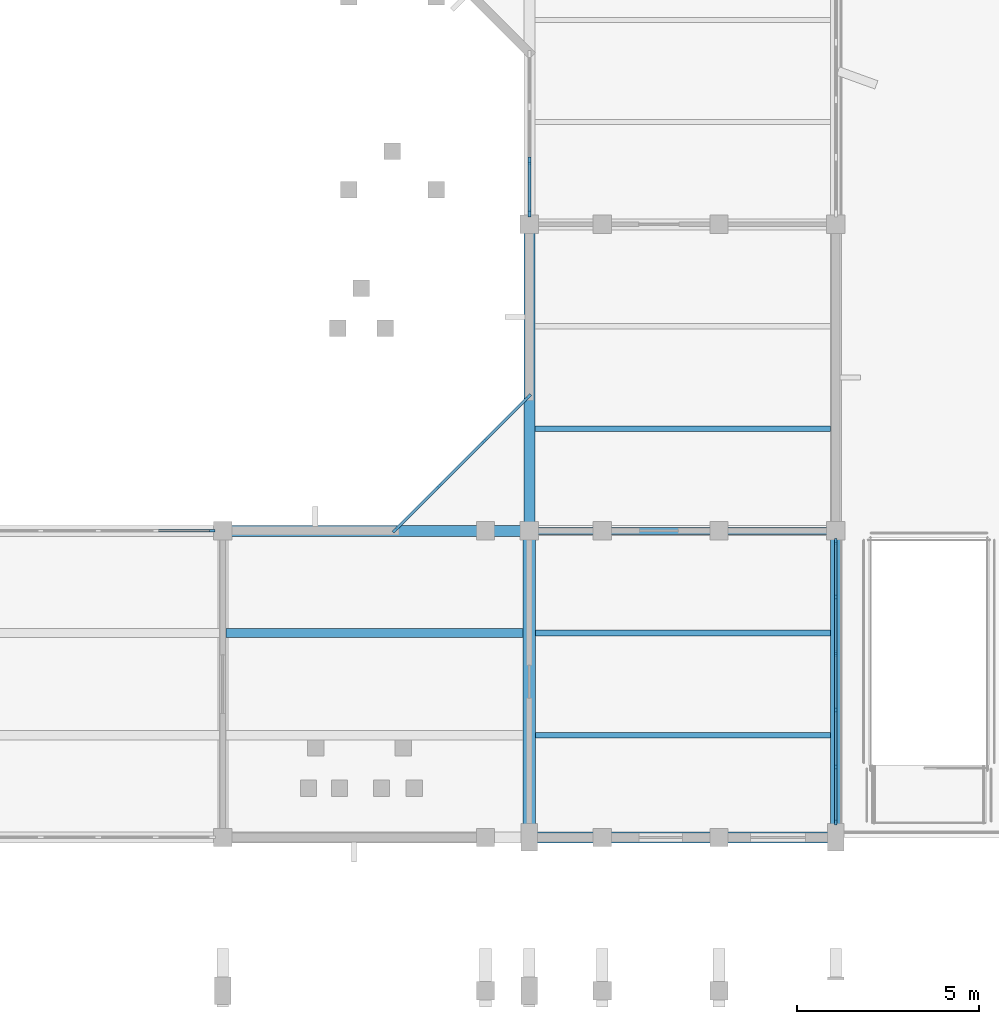
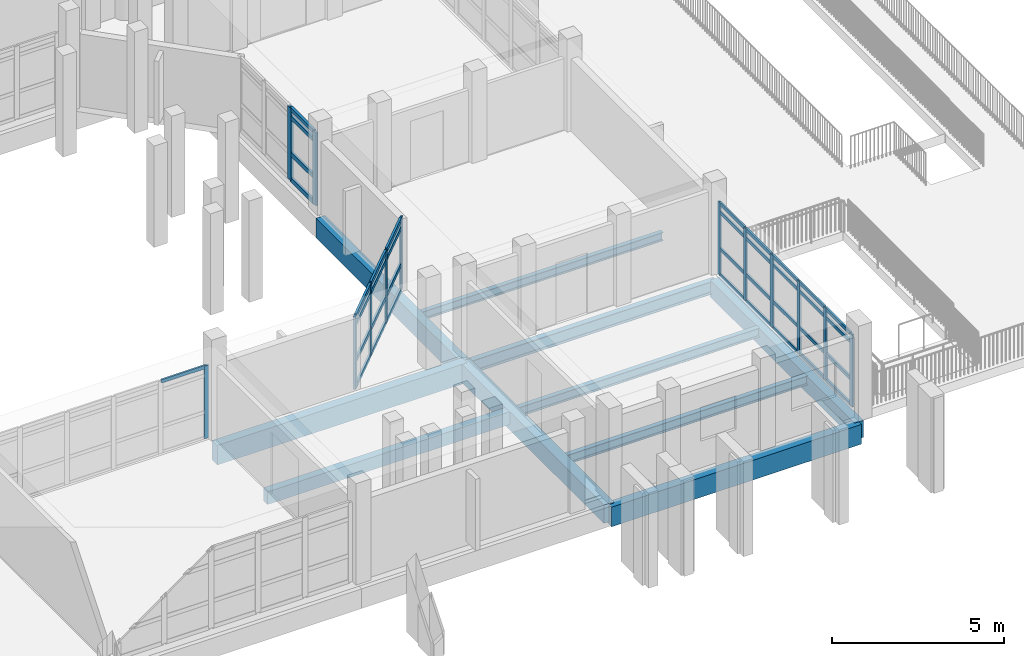
# One storey, part 19 of 104: 50 members, 10 beams, 4 elements without a shape of their own.
"""IFC4 building model written with IfcOpenShell, lengths in metres."""

from ifc_helpers import new_model, si_unit, direction, frame, origin, origin_2d, place, context, subcontext, project, spatial, rectangle, i_section, extrude, material, material_profile, profile_set, type_object, element, aggregate, save


model = new_model("IFC4")

# Units and contexts
model_context = context("Model", 3, precision=1e-05, world=origin(), true_north=direction((0.0, 1.0)))
body_context = subcontext(model_context, "Body", "Model", "MODEL_VIEW")
ifc_project = project(units=[si_unit("LENGTHUNIT", "METRE"), si_unit("AREAUNIT", "SQUARE_METRE"), si_unit("VOLUMEUNIT", "CUBIC_METRE"), si_unit("PLANEANGLEUNIT", "RADIAN"), si_unit("MASSUNIT", "GRAM", prefix="KILO")], contexts=[model_context])

# Site, building, storey
site_placement = place(None, origin())
site = spatial("IfcSite", under=ifc_project, at=site_placement, CompositionType="ELEMENT")
building_placement = place(site_placement, origin())
building = spatial("IfcBuilding", under=site, at=building_placement, Name="Vanh Quang Courtyard School", CompositionType="ELEMENT")
storey_placement = place(building_placement, frame((0.0, 0.0, 4.199951171875)))
storey = spatial("IfcBuildingStorey", under=building, at=storey_placement, Name="L01", CompositionType="ELEMENT", Elevation=4.199951171875)

# Beams
ifc_material_1 = material(Name="Concrete C35/45", Category="concrete")
ifc_material_profile_1 = material_profile(ifc_material_1, rectangle(XDim=0.300048828125, YDim=0.60009765625, at=origin_2d()), Name="RC-BM 300x600")
ifc_profile_set_1 = profile_set([ifc_material_profile_1], Name="Concrete C35/45")
beam_type_1 = type_object("IfcBeamType", Name="BM-RC-300x600", PredefinedType="BEAM", material=ifc_profile_set_1)
beam_1_placement = place(storey_placement, frame((119.39990234375, 4.199951171875, -0.619873046875), z_axis=(0.0, 1.0, 0.0), x_axis=(-1.0, 0.0, 0.0)))
element("IfcBeam", 1, at=beam_1_placement, inside=storey, type_object=beam_type_1, Name="Beam B-06 (L01)", PredefinedType="BEAM", context=body_context, shape_type="SweptSolid", body=[
    extrude(rectangle(XDim=0.300048828125, YDim=0.60009765625, at=origin_2d()), origin(), (0.0, 0.0, 1.0), 8.400146484375),
])
ifc_material_profile_2 = material_profile(ifc_material_1, rectangle(XDim=0.35009765625, YDim=0.64990234375, at=origin_2d()), Name="RC-BM 350x650")
ifc_profile_set_2 = profile_set([ifc_material_profile_2], Name="Concrete C35/45")
beam_type_2 = type_object("IfcBeamType", Name="BM-RC-350x650", PredefinedType="BEAM", material=ifc_profile_set_2)
beam_2_placement = place(storey_placement, frame((111.0, 4.199951171875, -0.60498046875), z_axis=(0.0, 1.0, 0.0), x_axis=(-1.0, 0.0, 0.0)))
element("IfcBeam", 2, at=beam_2_placement, inside=storey, type_object=beam_type_2, Name="Beam B-05 (L01)", PredefinedType="BEAM", context=body_context, shape_type="SweptSolid", body=[
    extrude(rectangle(XDim=0.35009765625, YDim=0.64990234375, at=origin_2d()), origin(), (0.0, 0.0, 1.0), 8.400146484375),
])
ifc_material_profile_3 = material_profile(ifc_material_1, rectangle(XDim=0.300048828125, YDim=0.699951171875, at=origin_2d()), Name="RC-SP 300x700")
ifc_profile_set_3 = profile_set([ifc_material_profile_3], Name="Concrete C35/45")
beam_type_3 = type_object("IfcBeamType", Name="BM-SP-300x700", PredefinedType="SPANDREL", material=ifc_profile_set_3)
for number, where, z_axis, x_axis, name in (
    (3, (111.0, 4.199951171875, -0.669921875), (1.0, 0.0, 0.0), (0.0, 1.0, 0.0), "Beam BS-01 (L01)"),
    (4, (102.60009765625, 12.60009765625, -0.6298828125), (1.0, 0.0, 0.0), (0.0, 1.0, 0.0), "Beam BS-01 (L01)"),
    (5, (111.0, 12.60009765625, -0.6298828125), (0.0, 1.0, 0.0), (-1.0, 0.0, 0.0), "Beam BS-01 (L01)"),
):
    element("IfcBeam", number, at=place(storey_placement, frame(where, z_axis=z_axis, x_axis=x_axis)), inside=storey, type_object=beam_type_3, Name=name, PredefinedType="SPANDREL", context=body_context, shape_type="SweptSolid", body=[
        extrude(rectangle(XDim=0.300048828125, YDim=0.699951171875, at=origin_2d()), origin(), (0.0, 0.0, 1.0), 8.39990234375),
    ])
ifc_material_2 = material(Name="Structural steel EN 10025-2 S355J2", Category="steel")
ifc_material_profile_4 = material_profile(ifc_material_2, i_section(OverallWidth=0.18994140625, OverallDepth=0.449951171875, WebThickness=0.009521484375, FlangeThickness=0.0146484375, FilletRadius=0.02099609375, at=origin_2d()), Name="IPE 450")
ifc_profile_set_4 = profile_set([ifc_material_profile_4], Name="Structural steel EN 10025-2 S355J2")
beam_type_4 = type_object("IfcBeamType", Name="BM-STL-IPE450", PredefinedType="BEAM", material=ifc_profile_set_4)
beam_3_placement = place(storey_placement, frame((111.0, 12.60009765625, -0.544921875), z_axis=(1.0, 0.0, 0.0), x_axis=(0.0, 1.0, 0.0)))
element("IfcBeam", 6, at=beam_3_placement, inside=storey, type_object=beam_type_4, Name="Beam SB-04 (L01)", PredefinedType="BEAM", context=body_context, shape_type="SweptSolid", body=[
    extrude(i_section(OverallWidth=0.18994140625, OverallDepth=0.449951171875, WebThickness=0.009521484375, FlangeThickness=0.0146484375, FilletRadius=0.02099609375, at=origin_2d()), origin(), (0.0, 0.0, 1.0), 8.39990234375),
])

# Curtain wall, members
ifc_material_3 = material(Name="Thermally broken aluminium unitised curtain wall", Category="aluminium")
curtain_wall_type_1 = type_object("IfcCurtainWallType", Name="CW-SYS-24", PredefinedType="NOTDEFINED", material=ifc_material_3)
curtain_wall_1_placement = place(storey_placement, origin())
curtain_wall_1 = element("IfcCurtainWall", 7, at=curtain_wall_1_placement, inside=storey, type_object=curtain_wall_type_1, Name="Curtain Wall CW-24 (L01)", PredefinedType="NOTDEFINED")
ifc_material_4 = material(Name="Anodised aluminium 6063-T6", Category="aluminium")
ifc_material_profile_5 = material_profile(ifc_material_4, rectangle(XDim=0.06005859375, YDim=0.159912109375, at=origin_2d()), Name="ALU-MUL 60x160")
ifc_profile_set_5 = profile_set([ifc_material_profile_5], Name="Anodised aluminium 6063-T6")
member_type_1 = type_object("IfcMemberType", Name="CW-MUL-60x160", PredefinedType="MULLION", material=ifc_profile_set_5)
member_1_placement = place(storey_placement, frame((119.39990234375, 12.31201171875, 0.0), z_axis=(0.0, 0.0, 1.0), x_axis=(1.0, 0.0, 0.0)))
member_1 = element("IfcMember", 8, at=member_1_placement, type_object=member_type_1, Name="CW-24 mullion 1", PredefinedType="MULLION", context=body_context, shape_type="SweptSolid", body=[
    extrude(rectangle(XDim=0.06005859375, YDim=0.159912109375, at=origin_2d()), origin(), (0.0, 0.0, 1.0), 2.580078125),
])
member_2_placement = place(storey_placement, frame((119.39990234375, 10.790283203125, 0.0), z_axis=(0.0, 0.0, 1.0), x_axis=(1.0, 0.0, 0.0)))
member_2 = element("IfcMember", 9, at=member_2_placement, type_object=member_type_1, Name="CW-24 mullion 2", PredefinedType="MULLION", context=body_context, shape_type="SweptSolid", body=[
    extrude(rectangle(XDim=0.06005859375, YDim=0.159912109375, at=origin_2d()), origin(), (0.0, 0.0, 1.0), 2.580078125),
])
member_3_placement = place(storey_placement, frame((119.39990234375, 9.23828125, 0.0), z_axis=(0.0, 0.0, 1.0), x_axis=(1.0, 0.0, 0.0)))
member_3 = element("IfcMember", 10, at=member_3_placement, type_object=member_type_1, Name="CW-24 mullion 3", PredefinedType="MULLION", context=body_context, shape_type="SweptSolid", body=[
    extrude(rectangle(XDim=0.06005859375, YDim=0.159912109375, at=origin_2d()), origin(), (0.0, 0.0, 1.0), 2.580078125),
])
member_4_placement = place(storey_placement, frame((119.39990234375, 7.6865234375, 0.0), z_axis=(0.0, 0.0, 1.0), x_axis=(1.0, 0.0, 0.0)))
member_4 = element("IfcMember", 11, at=member_4_placement, type_object=member_type_1, Name="CW-24 mullion 4", PredefinedType="MULLION", context=body_context, shape_type="SweptSolid", body=[
    extrude(rectangle(XDim=0.06005859375, YDim=0.159912109375, at=origin_2d()), origin(), (0.0, 0.0, 1.0), 2.580078125),
])
member_5_placement = place(storey_placement, frame((119.39990234375, 6.134765625, 0.0), z_axis=(0.0, 0.0, 1.0), x_axis=(1.0, 0.0, 0.0)))
member_5 = element("IfcMember", 12, at=member_5_placement, type_object=member_type_1, Name="CW-24 mullion 5", PredefinedType="MULLION", context=body_context, shape_type="SweptSolid", body=[
    extrude(rectangle(XDim=0.06005859375, YDim=0.159912109375, at=origin_2d()), origin(), (0.0, 0.0, 1.0), 2.580078125),
])
member_6_placement = place(storey_placement, frame((119.39990234375, 4.613037109375, 0.0), z_axis=(0.0, 0.0, 1.0), x_axis=(1.0, 0.0, 0.0)))
member_6 = element("IfcMember", 13, at=member_6_placement, type_object=member_type_1, Name="CW-24 mullion 6", PredefinedType="MULLION", context=body_context, shape_type="SweptSolid", body=[
    extrude(rectangle(XDim=0.06005859375, YDim=0.159912109375, at=origin_2d()), origin(), (0.0, 0.0, 1.0), 2.580078125),
])

# Curtain wall, member
curtain_wall_type_2 = type_object("IfcCurtainWallType", Name="CW-SYS-19", PredefinedType="NOTDEFINED", material=ifc_material_3)
curtain_wall_2_placement = place(storey_placement, origin())
curtain_wall_2 = element("IfcCurtainWall", 14, at=curtain_wall_2_placement, inside=storey, type_object=curtain_wall_type_2, Name="Curtain Wall CW-19 (L01)", PredefinedType="NOTDEFINED")
member_7_placement = place(storey_placement, frame((102.31201171875, 12.60009765625, 0.0), z_axis=(0.0, 0.0, 1.0), x_axis=(0.0, 1.0, 0.0)))
member_7 = element("IfcMember", 15, at=member_7_placement, type_object=member_type_1, Name="CW-19 mullion 6", PredefinedType="MULLION", context=body_context, shape_type="SweptSolid", body=[
    extrude(rectangle(XDim=0.06005859375, YDim=0.159912109375, at=origin_2d()), origin(), (0.0, 0.0, 1.0), 2.580078125),
])

# Curtain wall, members
curtain_wall_type_3 = type_object("IfcCurtainWallType", Name="CW-SYS-37", PredefinedType="NOTDEFINED", material=ifc_material_3)
curtain_wall_3_placement = place(storey_placement, origin())
curtain_wall_3 = element("IfcCurtainWall", 16, at=curtain_wall_3_placement, inside=storey, type_object=curtain_wall_type_3, Name="Curtain Wall CW-37 (L01)", PredefinedType="NOTDEFINED")
ifc_material_profile_6 = material_profile(ifc_material_4, rectangle(XDim=0.070068359375, YDim=0.179931640625, at=origin_2d()), Name="ALU-MUL 70x180")
ifc_profile_set_6 = profile_set([ifc_material_profile_6], Name="Anodised aluminium 6063-T6")
member_type_2 = type_object("IfcMemberType", Name="CW-MUL-70x180", PredefinedType="MULLION", material=ifc_profile_set_6)
member_8_placement = place(storey_placement, frame((107.328857421875, 12.624755859375, 0.0), z_axis=(0.0, 0.0, 1.0), x_axis=(-0.707106781187, 0.707106781187, 0.0)))
member_8 = element("IfcMember", 17, at=member_8_placement, type_object=member_type_2, Name="CW-37 mullion 1", PredefinedType="MULLION", context=body_context, shape_type="SweptSolid", body=[
    extrude(rectangle(XDim=0.070068359375, YDim=0.179931640625, at=origin_2d()), origin(), (0.0, 0.0, 1.0), 2.580078125),
])
member_9_placement = place(storey_placement, frame((108.535888671875, 13.83203125, 0.0), z_axis=(0.0, 0.0, 1.0), x_axis=(-0.707106781187, 0.707106781187, 0.0)))
member_9 = element("IfcMember", 18, at=member_9_placement, type_object=member_type_2, Name="CW-37 mullion 2", PredefinedType="MULLION", context=body_context, shape_type="SweptSolid", body=[
    extrude(rectangle(XDim=0.070068359375, YDim=0.179931640625, at=origin_2d()), origin(), (0.0, 0.0, 1.0), 2.580078125),
])
member_10_placement = place(storey_placement, frame((109.76806640625, 15.06396484375, 0.0), z_axis=(0.0, 0.0, 1.0), x_axis=(-0.707106781187, 0.707106781187, 0.0)))
member_10 = element("IfcMember", 19, at=member_10_placement, type_object=member_type_2, Name="CW-37 mullion 3", PredefinedType="MULLION", context=body_context, shape_type="SweptSolid", body=[
    extrude(rectangle(XDim=0.070068359375, YDim=0.179931640625, at=origin_2d()), origin(), (0.0, 0.0, 1.0), 2.580078125),
])
member_11_placement = place(storey_placement, frame((110.975341796875, 16.271240234375, 0.0), z_axis=(0.0, 0.0, 1.0), x_axis=(-0.707106781187, 0.707106781187, 0.0)))
member_11 = element("IfcMember", 20, at=member_11_placement, type_object=member_type_2, Name="CW-37 mullion 4", PredefinedType="MULLION", context=body_context, shape_type="SweptSolid", body=[
    extrude(rectangle(XDim=0.070068359375, YDim=0.179931640625, at=origin_2d()), origin(), (0.0, 0.0, 1.0), 2.580078125),
])

curtain_wall_type_4 = type_object("IfcCurtainWallType", Name="CW-SYS-38", PredefinedType="NOTDEFINED", material=ifc_material_3)
curtain_wall_4_placement = place(storey_placement, origin())
curtain_wall_4 = element("IfcCurtainWall", 21, at=curtain_wall_4_placement, inside=storey, type_object=curtain_wall_type_4, Name="Curtain Wall CW-38 (L01)", PredefinedType="NOTDEFINED")
ifc_material_profile_7 = material_profile(ifc_material_4, rectangle(XDim=0.080078125, YDim=0.199951171875, at=origin_2d()), Name="ALU-MUL 80x200")
ifc_profile_set_7 = profile_set([ifc_material_profile_7], Name="Anodised aluminium 6063-T6")
member_type_3 = type_object("IfcMemberType", Name="CW-MUL-80x200", PredefinedType="MULLION", material=ifc_profile_set_7)
member_12_placement = place(storey_placement, frame((111.0, 21.298095703125, 0.0), z_axis=(0.0, 0.0, 1.0), x_axis=(-1.0, 0.0, 0.0)))
member_12 = element("IfcMember", 22, at=member_12_placement, type_object=member_type_3, Name="CW-38 mullion 1", PredefinedType="MULLION", context=body_context, shape_type="SweptSolid", body=[
    extrude(rectangle(XDim=0.080078125, YDim=0.199951171875, at=origin_2d()), origin(), (0.0, 0.0, 1.0), 2.580078125),
])
member_13_placement = place(storey_placement, frame((111.0, 22.739990234375, 0.0), z_axis=(0.0, 0.0, 1.0), x_axis=(-1.0, 0.0, 0.0)))
member_13 = element("IfcMember", 23, at=member_13_placement, type_object=member_type_3, Name="CW-38 mullion 2", PredefinedType="MULLION", context=body_context, shape_type="SweptSolid", body=[
    extrude(rectangle(XDim=0.080078125, YDim=0.199951171875, at=origin_2d()), origin(), (0.0, 0.0, 1.0), 2.580078125),
])

# Member
ifc_material_profile_8 = material_profile(ifc_material_4, rectangle(XDim=0.06005859375, YDim=0.1201171875, at=origin_2d()), Name="ALU-TRN 60x120")
ifc_profile_set_8 = profile_set([ifc_material_profile_8], Name="Anodised aluminium 6063-T6")
member_type_4 = type_object("IfcMemberType", Name="CW-TRN-60x120", PredefinedType="USERDEFINED", material=ifc_profile_set_8)
member_14_placement = place(storey_placement, frame((119.39990234375, 12.281982421875, 0.030029296875), z_axis=(0.0, -1.0, 0.0), x_axis=(1.0, 0.0, 0.0)))
member_14 = element("IfcMember", 24, at=member_14_placement, type_object=member_type_4, Name="CW-24 transom 1.1", ObjectType="TRANSOM", PredefinedType="USERDEFINED", context=body_context, shape_type="SweptSolid", body=[
    extrude(rectangle(XDim=0.06005859375, YDim=0.1201171875, at=origin_2d()), origin(), (0.0, 0.0, 1.0), 1.461669921875),
])

member_15_placement = place(storey_placement, frame((119.39990234375, 12.281982421875, 0.949951171875), z_axis=(0.0, -1.0, 0.0), x_axis=(1.0, 0.0, 0.0)))
member_15 = element("IfcMember", 25, at=member_15_placement, type_object=member_type_4, Name="CW-24 transom 1.2", ObjectType="TRANSOM", PredefinedType="USERDEFINED", context=body_context, shape_type="SweptSolid", body=[
    extrude(rectangle(XDim=0.06005859375, YDim=0.1201171875, at=origin_2d()), origin(), (0.0, 0.0, 1.0), 1.461669921875),
])

member_16_placement = place(storey_placement, frame((119.39990234375, 12.281982421875, 2.25), z_axis=(0.0, -1.0, 0.0), x_axis=(1.0, 0.0, 0.0)))
member_16 = element("IfcMember", 26, at=member_16_placement, type_object=member_type_4, Name="CW-24 transom 1.3", ObjectType="TRANSOM", PredefinedType="USERDEFINED", context=body_context, shape_type="SweptSolid", body=[
    extrude(rectangle(XDim=0.06005859375, YDim=0.1201171875, at=origin_2d()), origin(), (0.0, 0.0, 1.0), 1.461669921875),
])

member_17_placement = place(storey_placement, frame((119.39990234375, 12.281982421875, 2.550048828125), z_axis=(0.0, -1.0, 0.0), x_axis=(1.0, 0.0, 0.0)))
member_17 = element("IfcMember", 27, at=member_17_placement, type_object=member_type_4, Name="CW-24 transom 1.4", ObjectType="TRANSOM", PredefinedType="USERDEFINED", context=body_context, shape_type="SweptSolid", body=[
    extrude(rectangle(XDim=0.06005859375, YDim=0.1201171875, at=origin_2d()), origin(), (0.0, 0.0, 1.0), 1.461669921875),
])

member_18_placement = place(storey_placement, frame((119.39990234375, 10.76025390625, 0.030029296875), z_axis=(0.0, -1.0, 0.0), x_axis=(1.0, 0.0, 0.0)))
member_18 = element("IfcMember", 28, at=member_18_placement, type_object=member_type_4, Name="CW-24 transom 2.1", ObjectType="TRANSOM", PredefinedType="USERDEFINED", context=body_context, shape_type="SweptSolid", body=[
    extrude(rectangle(XDim=0.06005859375, YDim=0.1201171875, at=origin_2d()), origin(), (0.0, 0.0, 1.0), 1.491943359375),
])

member_19_placement = place(storey_placement, frame((119.39990234375, 10.76025390625, 0.949951171875), z_axis=(0.0, -1.0, 0.0), x_axis=(1.0, 0.0, 0.0)))
member_19 = element("IfcMember", 29, at=member_19_placement, type_object=member_type_4, Name="CW-24 transom 2.2", ObjectType="TRANSOM", PredefinedType="USERDEFINED", context=body_context, shape_type="SweptSolid", body=[
    extrude(rectangle(XDim=0.06005859375, YDim=0.1201171875, at=origin_2d()), origin(), (0.0, 0.0, 1.0), 1.491943359375),
])

member_20_placement = place(storey_placement, frame((119.39990234375, 10.76025390625, 2.25), z_axis=(0.0, -1.0, 0.0), x_axis=(1.0, 0.0, 0.0)))
member_20 = element("IfcMember", 30, at=member_20_placement, type_object=member_type_4, Name="CW-24 transom 2.3", ObjectType="TRANSOM", PredefinedType="USERDEFINED", context=body_context, shape_type="SweptSolid", body=[
    extrude(rectangle(XDim=0.06005859375, YDim=0.1201171875, at=origin_2d()), origin(), (0.0, 0.0, 1.0), 1.491943359375),
])

member_21_placement = place(storey_placement, frame((119.39990234375, 10.76025390625, 2.550048828125), z_axis=(0.0, -1.0, 0.0), x_axis=(1.0, 0.0, 0.0)))
member_21 = element("IfcMember", 31, at=member_21_placement, type_object=member_type_4, Name="CW-24 transom 2.4", ObjectType="TRANSOM", PredefinedType="USERDEFINED", context=body_context, shape_type="SweptSolid", body=[
    extrude(rectangle(XDim=0.06005859375, YDim=0.1201171875, at=origin_2d()), origin(), (0.0, 0.0, 1.0), 1.491943359375),
])

member_22_placement = place(storey_placement, frame((119.39990234375, 9.20849609375, 0.030029296875), z_axis=(0.0, -1.0, 0.0), x_axis=(1.0, 0.0, 0.0)))
member_22 = element("IfcMember", 32, at=member_22_placement, type_object=member_type_4, Name="CW-24 transom 3.1", ObjectType="TRANSOM", PredefinedType="USERDEFINED", context=body_context, shape_type="SweptSolid", body=[
    extrude(rectangle(XDim=0.06005859375, YDim=0.1201171875, at=origin_2d()), origin(), (0.0, 0.0, 1.0), 1.491943359375),
])

member_23_placement = place(storey_placement, frame((119.39990234375, 9.20849609375, 0.949951171875), z_axis=(0.0, -1.0, 0.0), x_axis=(1.0, 0.0, 0.0)))
member_23 = element("IfcMember", 33, at=member_23_placement, type_object=member_type_4, Name="CW-24 transom 3.2", ObjectType="TRANSOM", PredefinedType="USERDEFINED", context=body_context, shape_type="SweptSolid", body=[
    extrude(rectangle(XDim=0.06005859375, YDim=0.1201171875, at=origin_2d()), origin(), (0.0, 0.0, 1.0), 1.491943359375),
])

member_24_placement = place(storey_placement, frame((119.39990234375, 9.20849609375, 2.25), z_axis=(0.0, -1.0, 0.0), x_axis=(1.0, 0.0, 0.0)))
member_24 = element("IfcMember", 34, at=member_24_placement, type_object=member_type_4, Name="CW-24 transom 3.3", ObjectType="TRANSOM", PredefinedType="USERDEFINED", context=body_context, shape_type="SweptSolid", body=[
    extrude(rectangle(XDim=0.06005859375, YDim=0.1201171875, at=origin_2d()), origin(), (0.0, 0.0, 1.0), 1.491943359375),
])

member_25_placement = place(storey_placement, frame((119.39990234375, 9.20849609375, 2.550048828125), z_axis=(0.0, -1.0, 0.0), x_axis=(1.0, 0.0, 0.0)))
member_25 = element("IfcMember", 35, at=member_25_placement, type_object=member_type_4, Name="CW-24 transom 3.4", ObjectType="TRANSOM", PredefinedType="USERDEFINED", context=body_context, shape_type="SweptSolid", body=[
    extrude(rectangle(XDim=0.06005859375, YDim=0.1201171875, at=origin_2d()), origin(), (0.0, 0.0, 1.0), 1.491943359375),
])

member_26_placement = place(storey_placement, frame((119.39990234375, 7.656494140625, 0.030029296875), z_axis=(0.0, -1.0, 0.0), x_axis=(1.0, 0.0, 0.0)))
member_26 = element("IfcMember", 36, at=member_26_placement, type_object=member_type_4, Name="CW-24 transom 4.1", ObjectType="TRANSOM", PredefinedType="USERDEFINED", context=body_context, shape_type="SweptSolid", body=[
    extrude(rectangle(XDim=0.06005859375, YDim=0.1201171875, at=origin_2d()), origin(), (0.0, 0.0, 1.0), 1.49169921875),
])

member_27_placement = place(storey_placement, frame((119.39990234375, 7.656494140625, 0.949951171875), z_axis=(0.0, -1.0, 0.0), x_axis=(1.0, 0.0, 0.0)))
member_27 = element("IfcMember", 37, at=member_27_placement, type_object=member_type_4, Name="CW-24 transom 4.2", ObjectType="TRANSOM", PredefinedType="USERDEFINED", context=body_context, shape_type="SweptSolid", body=[
    extrude(rectangle(XDim=0.06005859375, YDim=0.1201171875, at=origin_2d()), origin(), (0.0, 0.0, 1.0), 1.49169921875),
])

member_28_placement = place(storey_placement, frame((119.39990234375, 7.656494140625, 2.25), z_axis=(0.0, -1.0, 0.0), x_axis=(1.0, 0.0, 0.0)))
member_28 = element("IfcMember", 38, at=member_28_placement, type_object=member_type_4, Name="CW-24 transom 4.3", ObjectType="TRANSOM", PredefinedType="USERDEFINED", context=body_context, shape_type="SweptSolid", body=[
    extrude(rectangle(XDim=0.06005859375, YDim=0.1201171875, at=origin_2d()), origin(), (0.0, 0.0, 1.0), 1.49169921875),
])

member_29_placement = place(storey_placement, frame((119.39990234375, 7.656494140625, 2.550048828125), z_axis=(0.0, -1.0, 0.0), x_axis=(1.0, 0.0, 0.0)))
member_29 = element("IfcMember", 39, at=member_29_placement, type_object=member_type_4, Name="CW-24 transom 4.4", ObjectType="TRANSOM", PredefinedType="USERDEFINED", context=body_context, shape_type="SweptSolid", body=[
    extrude(rectangle(XDim=0.06005859375, YDim=0.1201171875, at=origin_2d()), origin(), (0.0, 0.0, 1.0), 1.49169921875),
])

member_30_placement = place(storey_placement, frame((119.39990234375, 6.104736328125, 0.030029296875), z_axis=(0.0, -1.0, 0.0), x_axis=(1.0, 0.0, 0.0)))
member_30 = element("IfcMember", 40, at=member_30_placement, type_object=member_type_4, Name="CW-24 transom 5.1", ObjectType="TRANSOM", PredefinedType="USERDEFINED", context=body_context, shape_type="SweptSolid", body=[
    extrude(rectangle(XDim=0.06005859375, YDim=0.1201171875, at=origin_2d()), origin(), (0.0, 0.0, 1.0), 1.461669921875),
])

member_31_placement = place(storey_placement, frame((119.39990234375, 6.104736328125, 0.949951171875), z_axis=(0.0, -1.0, 0.0), x_axis=(1.0, 0.0, 0.0)))
member_31 = element("IfcMember", 41, at=member_31_placement, type_object=member_type_4, Name="CW-24 transom 5.2", ObjectType="TRANSOM", PredefinedType="USERDEFINED", context=body_context, shape_type="SweptSolid", body=[
    extrude(rectangle(XDim=0.06005859375, YDim=0.1201171875, at=origin_2d()), origin(), (0.0, 0.0, 1.0), 1.461669921875),
])

member_32_placement = place(storey_placement, frame((119.39990234375, 6.104736328125, 2.25), z_axis=(0.0, -1.0, 0.0), x_axis=(1.0, 0.0, 0.0)))
member_32 = element("IfcMember", 42, at=member_32_placement, type_object=member_type_4, Name="CW-24 transom 5.3", ObjectType="TRANSOM", PredefinedType="USERDEFINED", context=body_context, shape_type="SweptSolid", body=[
    extrude(rectangle(XDim=0.06005859375, YDim=0.1201171875, at=origin_2d()), origin(), (0.0, 0.0, 1.0), 1.461669921875),
])

member_33_placement = place(storey_placement, frame((119.39990234375, 6.104736328125, 2.550048828125), z_axis=(0.0, -1.0, 0.0), x_axis=(1.0, 0.0, 0.0)))
member_33 = element("IfcMember", 43, at=member_33_placement, type_object=member_type_4, Name="CW-24 transom 5.4", ObjectType="TRANSOM", PredefinedType="USERDEFINED", context=body_context, shape_type="SweptSolid", body=[
    extrude(rectangle(XDim=0.06005859375, YDim=0.1201171875, at=origin_2d()), origin(), (0.0, 0.0, 1.0), 1.461669921875),
])

aggregate(curtain_wall_1, [member_1, member_2, member_3, member_4, member_5, member_6, member_14, member_15, member_16, member_17, member_18, member_19, member_20, member_21, member_22, member_23, member_24, member_25, member_26, member_27, member_28, member_29, member_30, member_31, member_32, member_33])

member_34_placement = place(storey_placement, frame((100.795166015625, 12.60009765625, 2.550048828125), z_axis=(1.0, 0.0, 0.0), x_axis=(0.0, 1.0, 0.0)))
member_34 = element("IfcMember", 44, at=member_34_placement, type_object=member_type_4, Name="CW-19 transom 5.4", ObjectType="TRANSOM", PredefinedType="USERDEFINED", context=body_context, shape_type="SweptSolid", body=[
    extrude(rectangle(XDim=0.06005859375, YDim=0.1201171875, at=origin_2d()), origin(), (0.0, 0.0, 1.0), 1.48681640625),
])

aggregate(curtain_wall_2, [member_7, member_34])

ifc_material_profile_9 = material_profile(ifc_material_4, rectangle(XDim=0.070068359375, YDim=0.139892578125, at=origin_2d()), Name="ALU-TRN 70x140")
ifc_profile_set_9 = profile_set([ifc_material_profile_9], Name="Anodised aluminium 6063-T6")
member_type_5 = type_object("IfcMemberType", Name="CW-TRN-70x140", PredefinedType="USERDEFINED", material=ifc_profile_set_9)
member_35_placement = place(storey_placement, frame((107.353515625, 12.6494140625, 0.03515625), z_axis=(0.707032227254, 0.70718132726, 0.0), x_axis=(-0.70718132726, 0.707032227254, 0.0)))
member_35 = element("IfcMember", 45, at=member_35_placement, type_object=member_type_5, Name="CW-37 transom 1.1", ObjectType="TRANSOM", PredefinedType="USERDEFINED", context=body_context, shape_type="SweptSolid", body=[
    extrude(rectangle(XDim=0.070068359375, YDim=0.139892578125, at=origin_2d()), origin(), (0.0, 0.0, 1.0), 1.637451171875),
])

member_36_placement = place(storey_placement, frame((107.353515625, 12.6494140625, 0.949951171875), z_axis=(0.707032227254, 0.70718132726, 0.0), x_axis=(-0.70718132726, 0.707032227254, 0.0)))
member_36 = element("IfcMember", 46, at=member_36_placement, type_object=member_type_5, Name="CW-37 transom 1.2", ObjectType="TRANSOM", PredefinedType="USERDEFINED", context=body_context, shape_type="SweptSolid", body=[
    extrude(rectangle(XDim=0.070068359375, YDim=0.139892578125, at=origin_2d()), origin(), (0.0, 0.0, 1.0), 1.637451171875),
])

member_37_placement = place(storey_placement, frame((107.353515625, 12.6494140625, 2.25), z_axis=(0.707032227254, 0.70718132726, 0.0), x_axis=(-0.70718132726, 0.707032227254, 0.0)))
member_37 = element("IfcMember", 47, at=member_37_placement, type_object=member_type_5, Name="CW-37 transom 1.3", ObjectType="TRANSOM", PredefinedType="USERDEFINED", context=body_context, shape_type="SweptSolid", body=[
    extrude(rectangle(XDim=0.070068359375, YDim=0.139892578125, at=origin_2d()), origin(), (0.0, 0.0, 1.0), 1.637451171875),
])

member_38_placement = place(storey_placement, frame((107.353515625, 12.6494140625, 2.545166015625), z_axis=(0.707032227254, 0.70718132726, 0.0), x_axis=(-0.70718132726, 0.707032227254, 0.0)))
member_38 = element("IfcMember", 48, at=member_38_placement, type_object=member_type_5, Name="CW-37 transom 1.4", ObjectType="TRANSOM", PredefinedType="USERDEFINED", context=body_context, shape_type="SweptSolid", body=[
    extrude(rectangle(XDim=0.070068359375, YDim=0.139892578125, at=origin_2d()), origin(), (0.0, 0.0, 1.0), 1.637451171875),
])

member_39_placement = place(storey_placement, frame((108.560791015625, 13.856689453125, 0.03515625), z_axis=(0.707033781984, 0.707179772854, 0.0), x_axis=(-0.707179772854, 0.707033781984, 0.0)))
member_39 = element("IfcMember", 49, at=member_39_placement, type_object=member_type_5, Name="CW-37 transom 2.1", ObjectType="TRANSOM", PredefinedType="USERDEFINED", context=body_context, shape_type="SweptSolid", body=[
    extrude(rectangle(XDim=0.070068359375, YDim=0.139892578125, at=origin_2d()), origin(), (0.0, 0.0, 1.0), 1.67236328125),
])

member_40_placement = place(storey_placement, frame((108.560791015625, 13.856689453125, 0.949951171875), z_axis=(0.707033781984, 0.707179772854, 0.0), x_axis=(-0.707179772854, 0.707033781984, 0.0)))
member_40 = element("IfcMember", 50, at=member_40_placement, type_object=member_type_5, Name="CW-37 transom 2.2", ObjectType="TRANSOM", PredefinedType="USERDEFINED", context=body_context, shape_type="SweptSolid", body=[
    extrude(rectangle(XDim=0.070068359375, YDim=0.139892578125, at=origin_2d()), origin(), (0.0, 0.0, 1.0), 1.67236328125),
])

member_41_placement = place(storey_placement, frame((108.560791015625, 13.856689453125, 2.25), z_axis=(0.707033781984, 0.707179772854, 0.0), x_axis=(-0.707179772854, 0.707033781984, 0.0)))
member_41 = element("IfcMember", 51, at=member_41_placement, type_object=member_type_5, Name="CW-37 transom 2.3", ObjectType="TRANSOM", PredefinedType="USERDEFINED", context=body_context, shape_type="SweptSolid", body=[
    extrude(rectangle(XDim=0.070068359375, YDim=0.139892578125, at=origin_2d()), origin(), (0.0, 0.0, 1.0), 1.67236328125),
])

member_42_placement = place(storey_placement, frame((108.560791015625, 13.856689453125, 2.545166015625), z_axis=(0.707033781984, 0.707179772854, 0.0), x_axis=(-0.707179772854, 0.707033781984, 0.0)))
member_42 = element("IfcMember", 52, at=member_42_placement, type_object=member_type_5, Name="CW-37 transom 2.4", ObjectType="TRANSOM", PredefinedType="USERDEFINED", context=body_context, shape_type="SweptSolid", body=[
    extrude(rectangle(XDim=0.070068359375, YDim=0.139892578125, at=origin_2d()), origin(), (0.0, 0.0, 1.0), 1.67236328125),
])

member_43_placement = place(storey_placement, frame((109.792724609375, 15.0888671875, 0.03515625), z_axis=(0.707106781187, 0.707106781187, 0.0), x_axis=(-0.707106781187, 0.707106781187, 0.0)))
member_43 = element("IfcMember", 53, at=member_43_placement, type_object=member_type_5, Name="CW-37 transom 3.1", ObjectType="TRANSOM", PredefinedType="USERDEFINED", context=body_context, shape_type="SweptSolid", body=[
    extrude(rectangle(XDim=0.070068359375, YDim=0.139892578125, at=origin_2d()), origin(), (0.0, 0.0, 1.0), 1.63720703125),
])

member_44_placement = place(storey_placement, frame((109.792724609375, 15.0888671875, 0.949951171875), z_axis=(0.707106781187, 0.707106781187, 0.0), x_axis=(-0.707106781187, 0.707106781187, 0.0)))
member_44 = element("IfcMember", 54, at=member_44_placement, type_object=member_type_5, Name="CW-37 transom 3.2", ObjectType="TRANSOM", PredefinedType="USERDEFINED", context=body_context, shape_type="SweptSolid", body=[
    extrude(rectangle(XDim=0.070068359375, YDim=0.139892578125, at=origin_2d()), origin(), (0.0, 0.0, 1.0), 1.63720703125),
])

member_45_placement = place(storey_placement, frame((109.792724609375, 15.0888671875, 2.25), z_axis=(0.707106781187, 0.707106781187, 0.0), x_axis=(-0.707106781187, 0.707106781187, 0.0)))
member_45 = element("IfcMember", 55, at=member_45_placement, type_object=member_type_5, Name="CW-37 transom 3.3", ObjectType="TRANSOM", PredefinedType="USERDEFINED", context=body_context, shape_type="SweptSolid", body=[
    extrude(rectangle(XDim=0.070068359375, YDim=0.139892578125, at=origin_2d()), origin(), (0.0, 0.0, 1.0), 1.63720703125),
])

member_46_placement = place(storey_placement, frame((109.792724609375, 15.0888671875, 2.545166015625), z_axis=(0.707106781187, 0.707106781187, 0.0), x_axis=(-0.707106781187, 0.707106781187, 0.0)))
member_46 = element("IfcMember", 56, at=member_46_placement, type_object=member_type_5, Name="CW-37 transom 3.4", ObjectType="TRANSOM", PredefinedType="USERDEFINED", context=body_context, shape_type="SweptSolid", body=[
    extrude(rectangle(XDim=0.070068359375, YDim=0.139892578125, at=origin_2d()), origin(), (0.0, 0.0, 1.0), 1.63720703125),
])

aggregate(curtain_wall_3, [member_8, member_9, member_10, member_11, member_35, member_36, member_37, member_38, member_39, member_40, member_41, member_42, member_43, member_44, member_45, member_46])

ifc_material_profile_10 = material_profile(ifc_material_4, rectangle(XDim=0.080078125, YDim=0.14990234375, at=origin_2d()), Name="ALU-TRN 80x150")
ifc_profile_set_10 = profile_set([ifc_material_profile_10], Name="Anodised aluminium 6063-T6")
member_type_6 = type_object("IfcMemberType", Name="CW-TRN-80x150", PredefinedType="USERDEFINED", material=ifc_profile_set_10)
member_47_placement = place(storey_placement, frame((111.0, 21.337890625, 0.0400390625), z_axis=(0.0, 1.0, 0.0), x_axis=(-1.0, 0.0, 0.0)))
member_47 = element("IfcMember", 57, at=member_47_placement, type_object=member_type_6, Name="CW-38 transom 1.1", ObjectType="TRANSOM", PredefinedType="USERDEFINED", context=body_context, shape_type="SweptSolid", body=[
    extrude(rectangle(XDim=0.080078125, YDim=0.14990234375, at=origin_2d()), origin(), (0.0, 0.0, 1.0), 1.362060546875),
])

member_48_placement = place(storey_placement, frame((111.0, 21.337890625, 0.949951171875), z_axis=(0.0, 1.0, 0.0), x_axis=(-1.0, 0.0, 0.0)))
member_48 = element("IfcMember", 58, at=member_48_placement, type_object=member_type_6, Name="CW-38 transom 1.2", ObjectType="TRANSOM", PredefinedType="USERDEFINED", context=body_context, shape_type="SweptSolid", body=[
    extrude(rectangle(XDim=0.080078125, YDim=0.14990234375, at=origin_2d()), origin(), (0.0, 0.0, 1.0), 1.362060546875),
])

member_49_placement = place(storey_placement, frame((111.0, 21.337890625, 2.25), z_axis=(0.0, 1.0, 0.0), x_axis=(-1.0, 0.0, 0.0)))
member_49 = element("IfcMember", 59, at=member_49_placement, type_object=member_type_6, Name="CW-38 transom 1.3", ObjectType="TRANSOM", PredefinedType="USERDEFINED", context=body_context, shape_type="SweptSolid", body=[
    extrude(rectangle(XDim=0.080078125, YDim=0.14990234375, at=origin_2d()), origin(), (0.0, 0.0, 1.0), 1.362060546875),
])

member_50_placement = place(storey_placement, frame((111.0, 21.337890625, 2.5400390625), z_axis=(0.0, 1.0, 0.0), x_axis=(-1.0, 0.0, 0.0)))
member_50 = element("IfcMember", 60, at=member_50_placement, type_object=member_type_6, Name="CW-38 transom 1.4", ObjectType="TRANSOM", PredefinedType="USERDEFINED", context=body_context, shape_type="SweptSolid", body=[
    extrude(rectangle(XDim=0.080078125, YDim=0.14990234375, at=origin_2d()), origin(), (0.0, 0.0, 1.0), 1.362060546875),
])

aggregate(curtain_wall_4, [member_12, member_13, member_47, member_48, member_49, member_50])

# Beams
ifc_material_5 = material(Name="Concrete C30/37", Category="concrete")
ifc_material_profile_11 = material_profile(ifc_material_5, rectangle(XDim=0.25, YDim=0.449951171875, at=origin_2d()), Name="RC-JST 250x450")
ifc_profile_set_11 = profile_set([ifc_material_profile_11], Name="Concrete C30/37")
beam_type_5 = type_object("IfcBeamType", Name="JST-RC-250x450", PredefinedType="JOIST", material=ifc_profile_set_11)
beam_4_placement = place(storey_placement, frame((102.68505859375, 9.800048828125, -0.5048828125), z_axis=(1.0, 0.0, 0.0), x_axis=(0.0, 1.0, 0.0)))
element("IfcBeam", 61, at=beam_4_placement, inside=storey, type_object=beam_type_5, Name="Beam BJ-02 (L01)", PredefinedType="JOIST", context=body_context, shape_type="SweptSolid", body=[
    extrude(rectangle(XDim=0.25, YDim=0.449951171875, at=origin_2d()), origin(), (0.0, 0.0, 1.0), 8.139892578125),
])
ifc_material_profile_12 = material_profile(ifc_material_2, i_section(OverallWidth=0.14990234375, OverallDepth=0.300048828125, WebThickness=0.007080078125, FlangeThickness=0.0107421875, FilletRadius=0.014892578125, at=origin_2d()), Name="IPE 300")
ifc_profile_set_12 = profile_set([ifc_material_profile_12], Name="Structural steel EN 10025-2 S355J2")
beam_type_6 = type_object("IfcBeamType", Name="JST-STL-IPE300", PredefinedType="JOIST", material=ifc_profile_set_12)
beam_5_placement = place(storey_placement, frame((111.14990234375, 15.39990234375, -0.429931640625), z_axis=(1.0, 0.0, 0.0), x_axis=(0.0, 1.0, 0.0)))
element("IfcBeam", 62, at=beam_5_placement, inside=storey, type_object=beam_type_6, Name="Beam SJ-02 (L01)", PredefinedType="JOIST", context=body_context, shape_type="SweptSolid", body=[
    extrude(i_section(OverallWidth=0.14990234375, OverallDepth=0.300048828125, WebThickness=0.007080078125, FlangeThickness=0.0107421875, FilletRadius=0.014892578125, at=origin_2d()), origin(), (0.0, 0.0, 1.0), 8.10009765625),
])
ifc_material_profile_13 = material_profile(ifc_material_2, i_section(OverallWidth=0.159912109375, OverallDepth=0.330078125, WebThickness=0.007568359375, FlangeThickness=0.011474609375, FilletRadius=0.01806640625, at=origin_2d()), Name="IPE 330")
ifc_profile_set_13 = profile_set([ifc_material_profile_13], Name="Structural steel EN 10025-2 S355J2")
beam_type_7 = type_object("IfcBeamType", Name="JST-STL-IPE330", PredefinedType="JOIST", material=ifc_profile_set_13)
for number, where, z_axis, x_axis, name in (
    (63, (111.175048828125, 7.0, -0.445068359375), (1.0, 0.0, 0.0), (0.0, 1.0, 0.0), "Beam SJ-01 (L01)"),
    (64, (111.175048828125, 9.800048828125, -0.445068359375), (1.0, 0.0, 0.0), (0.0, 1.0, 0.0), "Beam SJ-01 (L01)"),
):
    element("IfcBeam", number, at=place(storey_placement, frame(where, z_axis=z_axis, x_axis=x_axis)), inside=storey, type_object=beam_type_7, Name=name, PredefinedType="JOIST", context=body_context, shape_type="SweptSolid", body=[
        extrude(i_section(OverallWidth=0.159912109375, OverallDepth=0.330078125, WebThickness=0.007568359375, FlangeThickness=0.011474609375, FilletRadius=0.01806640625, at=origin_2d()), origin(), (0.0, 0.0, 1.0), 8.074951171875),
    ])

save(model, "model.ifc")
